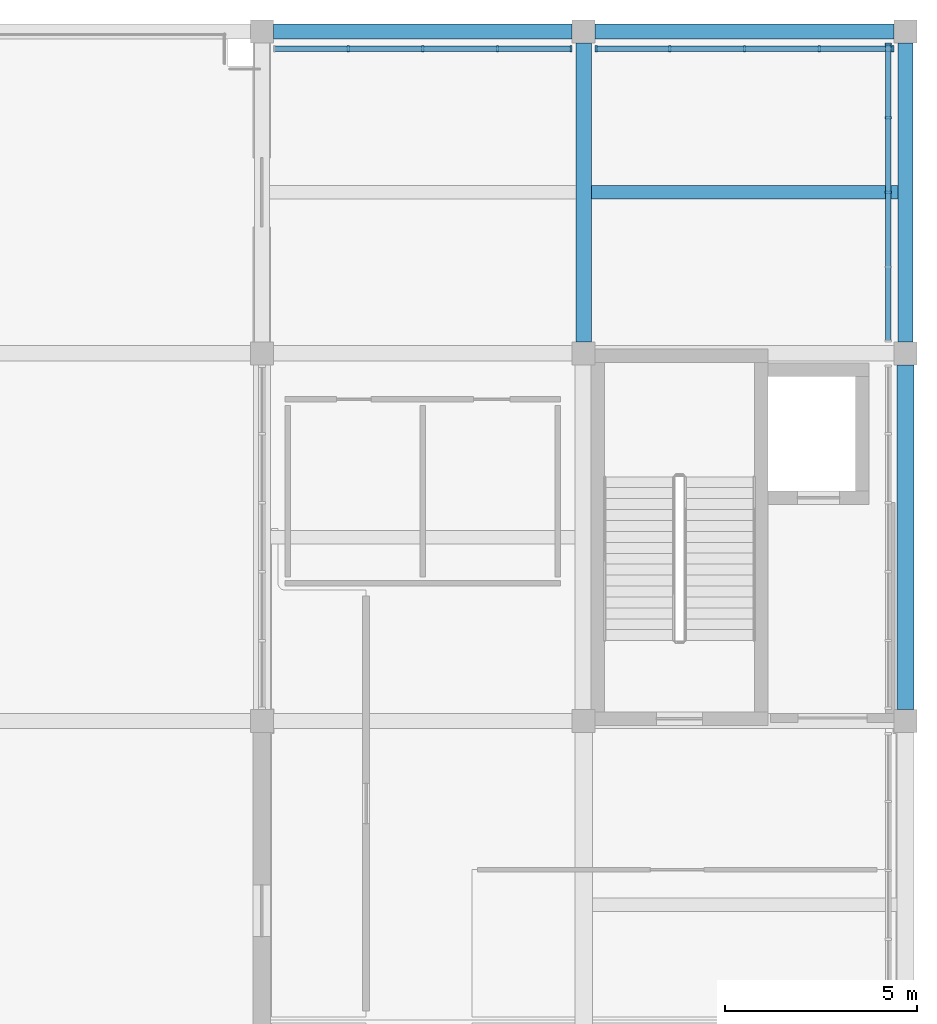
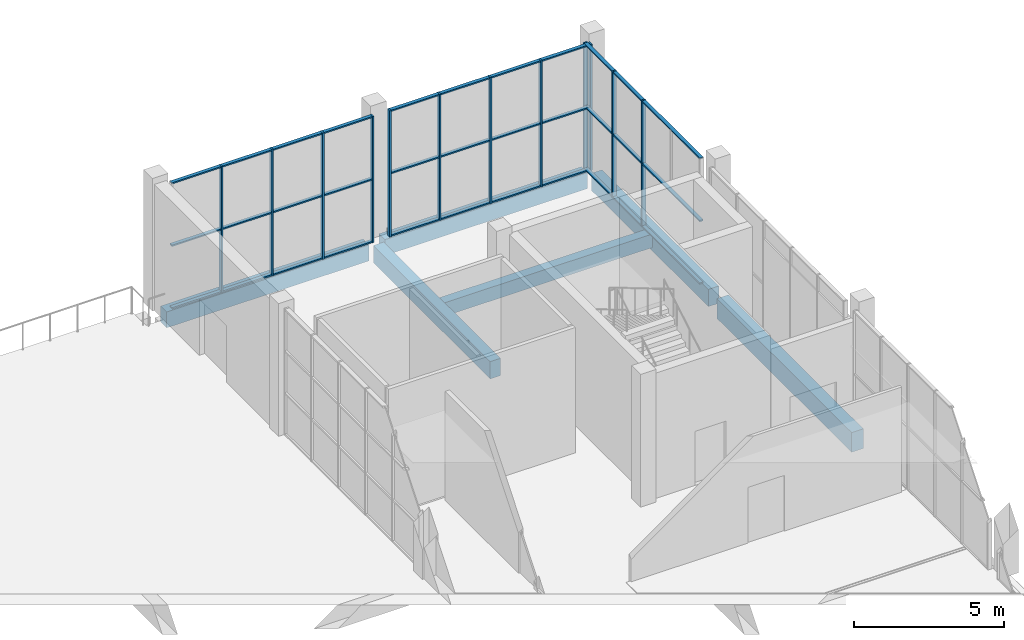
# One storey, part 7 of 15: 21 members, 6 beams, 3 elements without a shape of their own.
"""IFC4 building model written with IfcOpenShell, lengths in metres."""

import ifcopenshell
import ifcopenshell.guid

model = None  # the IFC model being written
_history = None  # IfcOwnerHistory: only IFC2X3 demands one
_inside = {}  # id of a spatial element -> (the spatial element, [elements in it])
_under = {}  # id of a project, library or spatial element -> (it, [spatial elements below it])
_declared = {}  # id of a project -> (the project, [libraries it declares])
_typed = {}  # id of a type object -> (the type object, [elements of that type])
_made_of = {}  # id of a material, layer set ... -> (it, [elements and type objects made of it])


def new_model(schema):
    """Start an empty IFC model of exactly this schema.

    Asked for "IFC4X3", IfcOpenShell would pick the latest addendum, in which some entities
    have other attributes; the version numbers below select the first issue.
    IFC2X3 requires an IfcOwnerHistory on every rooted entity: one is made here for all.
    """
    global model, _history
    if schema == "IFC4X3":
        model = ifcopenshell.file(schema_version=(4, 3, 0, 0))
    else:
        model = ifcopenshell.file(schema=schema)
    _inside.clear()
    _under.clear()
    _declared.clear()
    _typed.clear()
    _made_of.clear()
    _history = None
    if model.schema == "IFC2X3":
        org = make("IfcOrganization", Name="unknown")
        user = make(
            "IfcPersonAndOrganization",
            ThePerson=make("IfcPerson", FamilyName="unknown"),
            TheOrganization=org,
        )
        app = make(
            "IfcApplication",
            ApplicationDeveloper=org,
            Version="unknown",
            ApplicationFullName="unknown",
            ApplicationIdentifier="unknown",
        )
        _history = make(
            "IfcOwnerHistory",
            OwningUser=user,
            OwningApplication=app,
            ChangeAction="ADDED",
            CreationDate=0,
        )
    return model


def make(cls, **values):
    """One entity of the class cls with the attributes given. An attribute that is None is left unset."""
    return model.create_entity(
        cls, **{name: value for name, value in values.items() if value is not None}
    )


def rooted(cls, **values):
    """An entity with a GlobalId (a new one), such as an element, a storey or a relation."""
    return make(cls, GlobalId=ifcopenshell.guid.new(), OwnerHistory=_history, **values)


def si_unit(unit_type, name, prefix=None):
    """IfcSIUnit, for example si_unit("LENGTHUNIT", "METRE", prefix="MILLI")."""
    return make("IfcSIUnit", UnitType=unit_type, Prefix=prefix, Name=name)


def assignment(units):
    """IfcUnitAssignment: the units of a project."""
    return None if units is None else make("IfcUnitAssignment", Units=units)


def point(xyz):
    """IfcCartesianPoint."""
    return None if xyz is None else make("IfcCartesianPoint", Coordinates=xyz)


def direction(xyz):
    """IfcDirection."""
    return None if xyz is None else make("IfcDirection", DirectionRatios=xyz)


def frame(location, z_axis=None, x_axis=None):
    """IfcAxis2Placement3D, a coordinate frame: its origin and axes. An axis left out is left unset."""
    return make(
        "IfcAxis2Placement3D",
        Location=point(location),
        Axis=direction(z_axis),
        RefDirection=direction(x_axis),
    )


def frame_2d(location, x_axis=None):
    """IfcAxis2Placement2D, a coordinate frame in the plane: its origin and x axis."""
    return make(
        "IfcAxis2Placement2D", Location=point(location), RefDirection=direction(x_axis)
    )


def origin():
    """The frame at (0, 0, 0) with its axes left unset."""
    return frame((0.0, 0.0, 0.0))


def origin_2d():
    """The frame at (0, 0) in the plane with its x axis left unset."""
    return frame_2d((0.0, 0.0))


def place(relative_to, where):
    """IfcLocalPlacement: puts the frame where relative to a parent placement (None: the world)."""
    return make(
        "IfcLocalPlacement", PlacementRelTo=relative_to, RelativePlacement=where
    )


def context(
    kind, dimensions, precision=None, world=None, true_north=None, identifier=None
):
    """IfcGeometricRepresentationContext, for example the 3D "Model" context."""
    return make(
        "IfcGeometricRepresentationContext",
        ContextIdentifier=identifier,
        ContextType=kind,
        CoordinateSpaceDimension=dimensions,
        Precision=precision,
        WorldCoordinateSystem=world,
        TrueNorth=true_north,
    )


def subcontext(parent, identifier, kind, view, scale=None):
    """IfcGeometricRepresentationSubContext, for example "Body" below "Model"."""
    return make(
        "IfcGeometricRepresentationSubContext",
        ContextIdentifier=identifier,
        ContextType=kind,
        ParentContext=parent,
        TargetScale=scale,
        TargetView=view,
    )


def project(units=None, contexts=None):
    """IfcProject with its units and contexts."""
    return rooted(
        "IfcProject",
        Name="project",
        RepresentationContexts=contexts,
        UnitsInContext=assignment(units),
    )


def spatial(cls, under=None, at=None, **own):
    """A site, building, storey or space (cls), placed at a placement, below another one or the project."""
    s = rooted(cls, ObjectPlacement=at, **own)
    if under is not None:
        _under.setdefault(under.id(), (under, []))[1].append(s)
    return s


def profile(cls, at=None, kind="AREA", **sizes):
    """A parametric profile (cls). Its sizes go by their IFC names, for example OverallWidth=200.0."""
    return make(cls, ProfileType=kind, Position=at, **sizes)


def rectangle(**sizes):
    """IfcRectangleProfileDef."""
    return profile("IfcRectangleProfileDef", **sizes)


def extrude(swept, where, along, depth):
    """IfcExtrudedAreaSolid: the profile swept, set in the frame where, extruded along a direction by depth."""
    return make(
        "IfcExtrudedAreaSolid",
        SweptArea=swept,
        Position=where,
        ExtrudedDirection=direction(along),
        Depth=depth,
    )


def shape(context_of_items, identifier, shape_type, items):
    """IfcShapeRepresentation: the items that make up one representation, for example the "Body"."""
    return make(
        "IfcShapeRepresentation",
        ContextOfItems=context_of_items,
        RepresentationIdentifier=identifier,
        RepresentationType=shape_type,
        Items=items,
    )


def material(Name=None, Category=None):
    """IfcMaterial."""
    return make("IfcMaterial", Name=Name, Category=Category)


def material_profile(
    of_material, cross_section, Name=None, Category=None, Priority=None
):
    """IfcMaterialProfile: a cross section and its material."""
    return make(
        "IfcMaterialProfile",
        Name=Name,
        Material=of_material,
        Profile=cross_section,
        Priority=Priority,
        Category=Category,
    )


def profile_set(profiles, Name=None, composite=None):
    """IfcMaterialProfileSet."""
    return make(
        "IfcMaterialProfileSet",
        Name=Name,
        MaterialProfiles=profiles,
        CompositeProfile=composite,
    )


def made_of(thing, what):
    """Note that an element or type object is made of a material, layer set ...; save() writes the relation."""
    if what is not None:
        _made_of.setdefault(what.id(), (what, []))[1].append(thing)
    return thing


def type_object(cls, material=None, **own):
    """A type object (cls), such as IfcWallType, which elements share."""
    return made_of(rooted(cls, **own), material)


def element(
    cls,
    number,
    at=None,
    inside=None,
    cuts=None,
    type_object=None,
    material=None,
    context=None,
    identifier="Body",
    shape_type=None,
    held_by="IfcProductDefinitionShape",
    body=None,
    shapes=None,
    **own,
):
    """One element of the class cls, such as IfcWall. Its Tag is "e" and its number.

    at: its placement. inside: the storey or other place that contains it. cuts: it is an
    opening in that element (IfcRelVoidsElement). A single representation is given by context,
    identifier, shape_type and body (its items); several are given by shapes. held_by: the class
    of the entity that holds the representations. save() writes the other relations.
    """
    e = rooted(cls, Tag="e%d" % number, ObjectPlacement=at, **own)
    if body is not None:
        shapes = [shape(context, identifier, shape_type, body)]
    if shapes is not None:
        e.Representation = make(held_by, Representations=shapes)
    if inside is not None:
        _inside.setdefault(inside.id(), (inside, []))[1].append(e)
    if cuts is not None:
        rooted(
            "IfcRelVoidsElement", RelatingBuildingElement=cuts, RelatedOpeningElement=e
        )
    if type_object is not None:
        _typed.setdefault(type_object.id(), (type_object, []))[1].append(e)
    return made_of(e, material)


def aggregate(whole, parts):
    """IfcRelAggregates: a whole, such as a stair, and the parts it consists of."""
    return rooted("IfcRelAggregates", RelatingObject=whole, RelatedObjects=parts)


def save(model, path):
    """Write the relations noted so far, then the file.

    IfcRelAggregates (storeys below a building ...), IfcRelContainedInSpatialStructure (elements
    in a storey), IfcRelDefinesByType, IfcRelAssociatesMaterial and IfcRelDeclares: one each for
    every whole, place, type object, material and project.
    """
    for whole, parts in _under.values():
        aggregate(whole, parts)
    for where, things in _inside.values():
        rooted(
            "IfcRelContainedInSpatialStructure",
            RelatedElements=things,
            RelatingStructure=where,
        )
    for kind, things in _typed.values():
        rooted("IfcRelDefinesByType", RelatedObjects=things, RelatingType=kind)
    for what, things in _made_of.values():
        rooted("IfcRelAssociatesMaterial", RelatedObjects=things, RelatingMaterial=what)
    for by, libraries in _declared.values():
        rooted("IfcRelDeclares", RelatingContext=by, RelatedDefinitions=libraries)
    model.write(path)


model = new_model("IFC4")

# Units and contexts
model_context = context("Model", 3, precision=1e-05, world=origin(), true_north=direction((0.0, 1.0)))
body_context = subcontext(model_context, "Body", "Model", "MODEL_VIEW")
ifc_project = project(units=[si_unit("LENGTHUNIT", "METRE"), si_unit("AREAUNIT", "SQUARE_METRE"), si_unit("VOLUMEUNIT", "CUBIC_METRE"), si_unit("PLANEANGLEUNIT", "RADIAN"), si_unit("MASSUNIT", "GRAM", prefix="KILO")], contexts=[model_context])

# Site, building, storey
site_placement = place(None, origin())
site = spatial("IfcSite", under=ifc_project, at=site_placement, CompositionType="ELEMENT")
building_placement = place(site_placement, origin())
building = spatial("IfcBuilding", under=site, at=building_placement, Name="Shalvenor Court Art Gallery", CompositionType="ELEMENT")
storey_placement = place(building_placement, frame((0.0, 0.0, 27.0)))
storey = spatial("IfcBuildingStorey", under=building, at=storey_placement, Name="L05", CompositionType="ELEMENT", Elevation=27.0)

# Beams
ifc_material_1 = material(Name="Concrete C40/50", Category="concrete")
ifc_material_profile_1 = material_profile(ifc_material_1, rectangle(XDim=0.449951171875, YDim=0.800048828125, at=origin_2d()), Name="RC 450x800")
ifc_profile_set_1 = profile_set([ifc_material_profile_1], Name="Concrete C40/50")
beam_type_1 = type_object("IfcBeamType", Name="B-03", PredefinedType="BEAM", material=ifc_profile_set_1)
beam_1_placement = place(storey_placement, frame((176.39990234375, 79.5, -0.699951171875), z_axis=(0.0, 1.0, 0.0), x_axis=(-1.0, 0.0, 0.0)))
element("IfcBeam", 1, at=beam_1_placement, inside=storey, type_object=beam_type_1, Name="L05 Girder BM-L05-B-03-1298", PredefinedType="BEAM", context=body_context, shape_type="SweptSolid", body=[
    extrude(rectangle(XDim=0.449951171875, YDim=0.800048828125, at=origin_2d()), origin(), (0.0, 0.0, 1.0), 9.0),
])
ifc_material_2 = material(Name="Concrete C40/50", Category="concrete")
ifc_material_profile_2 = material_profile(ifc_material_2, rectangle(XDim=0.39990234375, YDim=0.699951171875, at=origin_2d()), Name="RC 400x700")
ifc_profile_set_2 = profile_set([ifc_material_profile_2], Name="Concrete C40/50")
beam_type_2 = type_object("IfcBeamType", Name="B-05", PredefinedType="BEAM", material=ifc_profile_set_2)
for number, where, z_axis, x_axis, name in (
    (2, (168.0, 89.10009765625, -0.64990234375), (0.0, 1.0, 0.0), (-1.0, 0.0, 0.0), "L05 Girder BM-L05-B-05-1293"),
    (3, (176.39990234375, 89.10009765625, -0.64990234375), (0.0, 1.0, 0.0), (-1.0, 0.0, 0.0), "L05 Girder BM-L05-B-05-1299"),
):
    element("IfcBeam", number, at=place(storey_placement, frame(where, z_axis=z_axis, x_axis=x_axis)), inside=storey, type_object=beam_type_2, Name=name, PredefinedType="BEAM", context=body_context, shape_type="SweptSolid", body=[
        extrude(rectangle(XDim=0.39990234375, YDim=0.699951171875, at=origin_2d()), origin(), (0.0, 0.0, 1.0), 7.7998046875),
    ])
ifc_material_3 = material(Name="Concrete C40/50", Category="concrete")
ifc_material_profile_3 = material_profile(ifc_material_3, rectangle(XDim=0.39990234375, YDim=0.64990234375, at=origin_2d()), Name="RC 400x650")
ifc_profile_set_3 = profile_set([ifc_material_profile_3], Name="Concrete C40/50")
beam_type_3 = type_object("IfcBeamType", Name="B-06", PredefinedType="BEAM", material=ifc_profile_set_3)
for number, where, z_axis, x_axis, name in (
    (4, (159.89990234375, 97.199951171875, -0.625), (1.0, 0.0, 0.0), (0.0, 1.0, 0.0), "L05 Girder BM-L05-B-06-1325"),
    (5, (168.300048828125, 97.199951171875, -0.625), (1.0, 0.0, 0.0), (0.0, 1.0, 0.0), "L05 Girder BM-L05-B-06-1326"),
):
    element("IfcBeam", number, at=place(storey_placement, frame(where, z_axis=z_axis, x_axis=x_axis)), inside=storey, type_object=beam_type_3, Name=name, PredefinedType="BEAM", context=body_context, shape_type="SweptSolid", body=[
        extrude(rectangle(XDim=0.39990234375, YDim=0.64990234375, at=origin_2d()), origin(), (0.0, 0.0, 1.0), 7.800048828125),
    ])

# Curtain wall, members
ifc_material_4 = material(Name="Anodised aluminium and low-iron glass curtain wall", Category="aluminium")
curtain_wall_type = type_object("IfcCurtainWallType", Name="CW-CLR-4-78", PredefinedType="USERDEFINED", material=ifc_material_4)
curtain_wall_1_placement = place(storey_placement, origin())
curtain_wall_1 = element("IfcCurtainWall", 6, at=curtain_wall_1_placement, inside=storey, type_object=curtain_wall_type, Name="L05 Dark Clerestory Curtain Wall CW-L05-040", ObjectType="CURTAIN WALL", PredefinedType="USERDEFINED")
ifc_material_5 = material(Name="Dark anodised bronze aluminium mullion", Category="aluminium")
ifc_material_profile_4 = material_profile(ifc_material_5, rectangle(XDim=0.06005859375, YDim=0.159912109375, at=origin_2d()), Name="CWM-03")
ifc_profile_set_4 = profile_set([ifc_material_profile_4], Name="Dark anodised bronze aluminium mullion")
member_type_1 = type_object("IfcMemberType", Name="CWM-03", PredefinedType="MULLION", material=ifc_profile_set_4)
member_1_placement = place(storey_placement, frame((161.85009765625, 96.75, 0.0), z_axis=(0.0, 0.0, 1.0), x_axis=(1.0, 0.0, 0.0)))
member_1 = element("IfcMember", 7, at=member_1_placement, type_object=member_type_1, Name="CW-CLR-4-78 mullion 2", PredefinedType="MULLION", context=body_context, shape_type="SweptSolid", body=[
    extrude(rectangle(XDim=0.06005859375, YDim=0.159912109375, at=origin_2d()), origin(), (0.0, 0.0, 1.0), 5.139892578125),
])
member_2_placement = place(storey_placement, frame((163.800048828125, 96.75, 0.0), z_axis=(0.0, 0.0, 1.0), x_axis=(1.0, 0.0, 0.0)))
member_2 = element("IfcMember", 8, at=member_2_placement, type_object=member_type_1, Name="CW-CLR-4-78 mullion 3", PredefinedType="MULLION", context=body_context, shape_type="SweptSolid", body=[
    extrude(rectangle(XDim=0.06005859375, YDim=0.159912109375, at=origin_2d()), origin(), (0.0, 0.0, 1.0), 5.139892578125),
])
member_3_placement = place(storey_placement, frame((165.75, 96.75, 0.0), z_axis=(0.0, 0.0, 1.0), x_axis=(1.0, 0.0, 0.0)))
member_3 = element("IfcMember", 9, at=member_3_placement, type_object=member_type_1, Name="CW-CLR-4-78 mullion 4", PredefinedType="MULLION", context=body_context, shape_type="SweptSolid", body=[
    extrude(rectangle(XDim=0.06005859375, YDim=0.159912109375, at=origin_2d()), origin(), (0.0, 0.0, 1.0), 5.139892578125),
])
member_4_placement = place(storey_placement, frame((167.669921875, 96.75, 0.0), z_axis=(0.0, 0.0, 1.0), x_axis=(1.0, 0.0, 0.0)))
member_4 = element("IfcMember", 10, at=member_4_placement, type_object=member_type_1, Name="CW-CLR-4-78 mullion 5", PredefinedType="MULLION", context=body_context, shape_type="SweptSolid", body=[
    extrude(rectangle(XDim=0.06005859375, YDim=0.159912109375, at=origin_2d()), origin(), (0.0, 0.0, 1.0), 5.139892578125),
])

curtain_wall_2_placement = place(storey_placement, origin())
curtain_wall_2 = element("IfcCurtainWall", 11, at=curtain_wall_2_placement, inside=storey, type_object=curtain_wall_type, Name="L05 Dark Clerestory Curtain Wall CW-L05-041", ObjectType="CURTAIN WALL", PredefinedType="USERDEFINED")
member_5_placement = place(storey_placement, frame((168.330078125, 96.75, 0.0), z_axis=(0.0, 0.0, 1.0), x_axis=(1.0, 0.0, 0.0)))
member_5 = element("IfcMember", 12, at=member_5_placement, type_object=member_type_1, Name="CW-CLR-4-78 mullion 1", PredefinedType="MULLION", context=body_context, shape_type="SweptSolid", body=[
    extrude(rectangle(XDim=0.06005859375, YDim=0.159912109375, at=origin_2d()), origin(), (0.0, 0.0, 1.0), 5.139892578125),
])
member_6_placement = place(storey_placement, frame((170.25, 96.75, 0.0), z_axis=(0.0, 0.0, 1.0), x_axis=(1.0, 0.0, 0.0)))
member_6 = element("IfcMember", 13, at=member_6_placement, type_object=member_type_1, Name="CW-CLR-4-78 mullion 2", PredefinedType="MULLION", context=body_context, shape_type="SweptSolid", body=[
    extrude(rectangle(XDim=0.06005859375, YDim=0.159912109375, at=origin_2d()), origin(), (0.0, 0.0, 1.0), 5.139892578125),
])
member_7_placement = place(storey_placement, frame((172.199951171875, 96.75, 0.0), z_axis=(0.0, 0.0, 1.0), x_axis=(1.0, 0.0, 0.0)))
member_7 = element("IfcMember", 14, at=member_7_placement, type_object=member_type_1, Name="CW-CLR-4-78 mullion 3", PredefinedType="MULLION", context=body_context, shape_type="SweptSolid", body=[
    extrude(rectangle(XDim=0.06005859375, YDim=0.159912109375, at=origin_2d()), origin(), (0.0, 0.0, 1.0), 5.139892578125),
])
member_8_placement = place(storey_placement, frame((174.14990234375, 96.75, 0.0), z_axis=(0.0, 0.0, 1.0), x_axis=(1.0, 0.0, 0.0)))
member_8 = element("IfcMember", 15, at=member_8_placement, type_object=member_type_1, Name="CW-CLR-4-78 mullion 4", PredefinedType="MULLION", context=body_context, shape_type="SweptSolid", body=[
    extrude(rectangle(XDim=0.06005859375, YDim=0.159912109375, at=origin_2d()), origin(), (0.0, 0.0, 1.0), 5.139892578125),
])
member_9_placement = place(storey_placement, frame((176.070068359375, 96.75, 0.0), z_axis=(0.0, 0.0, 1.0), x_axis=(1.0, 0.0, 0.0)))
member_9 = element("IfcMember", 16, at=member_9_placement, type_object=member_type_1, Name="CW-CLR-4-78 mullion 5", PredefinedType="MULLION", context=body_context, shape_type="SweptSolid", body=[
    extrude(rectangle(XDim=0.06005859375, YDim=0.159912109375, at=origin_2d()), origin(), (0.0, 0.0, 1.0), 5.139892578125),
])

curtain_wall_3_placement = place(storey_placement, origin())
curtain_wall_3 = element("IfcCurtainWall", 17, at=curtain_wall_3_placement, inside=storey, type_object=curtain_wall_type, Name="L05 Dark Clerestory Curtain Wall CW-L05-042", ObjectType="CURTAIN WALL", PredefinedType="USERDEFINED")
member_10_placement = place(storey_placement, frame((175.949951171875, 96.8701171875, 0.0), z_axis=(0.0, 0.0, 1.0), x_axis=(0.0, -1.0, 0.0)))
member_10 = element("IfcMember", 18, at=member_10_placement, type_object=member_type_1, Name="CW-CLR-4-78 mullion 1", PredefinedType="MULLION", context=body_context, shape_type="SweptSolid", body=[
    extrude(rectangle(XDim=0.06005859375, YDim=0.159912109375, at=origin_2d()), origin(), (0.0, 0.0, 1.0), 5.139892578125),
])
member_11_placement = place(storey_placement, frame((175.949951171875, 94.949951171875, 0.0), z_axis=(0.0, 0.0, 1.0), x_axis=(0.0, -1.0, 0.0)))
member_11 = element("IfcMember", 19, at=member_11_placement, type_object=member_type_1, Name="CW-CLR-4-78 mullion 2", PredefinedType="MULLION", context=body_context, shape_type="SweptSolid", body=[
    extrude(rectangle(XDim=0.06005859375, YDim=0.159912109375, at=origin_2d()), origin(), (0.0, 0.0, 1.0), 5.139892578125),
])
member_12_placement = place(storey_placement, frame((175.949951171875, 93.0, 0.0), z_axis=(0.0, 0.0, 1.0), x_axis=(0.0, -1.0, 0.0)))
member_12 = element("IfcMember", 20, at=member_12_placement, type_object=member_type_1, Name="CW-CLR-4-78 mullion 3", PredefinedType="MULLION", context=body_context, shape_type="SweptSolid", body=[
    extrude(rectangle(XDim=0.06005859375, YDim=0.159912109375, at=origin_2d()), origin(), (0.0, 0.0, 1.0), 5.139892578125),
])

# Member
ifc_material_6 = material(Name="Dark anodised bronze aluminium transom", Category="aluminium")
ifc_material_profile_5 = material_profile(ifc_material_6, rectangle(XDim=0.135009765625, YDim=0.054931640625, at=origin_2d()), Name="CWT-03")
ifc_profile_set_5 = profile_set([ifc_material_profile_5], Name="Dark anodised bronze aluminium transom")
member_type_2 = type_object("IfcMemberType", Name="CWT-03", PredefinedType="USERDEFINED", material=ifc_profile_set_5)
member_13_placement = place(storey_placement, frame((159.929931640625, 96.75, 0.027587890625), z_axis=(1.0, 0.0, 0.0), x_axis=(0.0, 1.0, 0.0)))
member_13 = element("IfcMember", 21, at=member_13_placement, type_object=member_type_2, Name="CW-CLR-4-78 transom 1", ObjectType="TRANSOM", PredefinedType="USERDEFINED", context=body_context, shape_type="SweptSolid", body=[
    extrude(rectangle(XDim=0.135009765625, YDim=0.054931640625, at=origin_2d()), origin(), (0.0, 0.0, 1.0), 7.739990234375),
])

member_14_placement = place(storey_placement, frame((159.929931640625, 96.75, 2.570068359375), z_axis=(1.0, 0.0, 0.0), x_axis=(0.0, 1.0, 0.0)))
member_14 = element("IfcMember", 22, at=member_14_placement, type_object=member_type_2, Name="CW-CLR-4-78 transom 2", ObjectType="TRANSOM", PredefinedType="USERDEFINED", context=body_context, shape_type="SweptSolid", body=[
    extrude(rectangle(XDim=0.135009765625, YDim=0.054931640625, at=origin_2d()), origin(), (0.0, 0.0, 1.0), 7.739990234375),
])

member_15_placement = place(storey_placement, frame((159.929931640625, 96.75, 5.112548828125), z_axis=(1.0, 0.0, 0.0), x_axis=(0.0, 1.0, 0.0)))
member_15 = element("IfcMember", 23, at=member_15_placement, type_object=member_type_2, Name="CW-CLR-4-78 transom 3", ObjectType="TRANSOM", PredefinedType="USERDEFINED", context=body_context, shape_type="SweptSolid", body=[
    extrude(rectangle(XDim=0.135009765625, YDim=0.054931640625, at=origin_2d()), origin(), (0.0, 0.0, 1.0), 7.739990234375),
])

aggregate(curtain_wall_1, [member_1, member_2, member_3, member_4, member_13, member_14, member_15])

member_16_placement = place(storey_placement, frame((168.330078125, 96.75, 0.027587890625), z_axis=(1.0, 0.0, 0.0), x_axis=(0.0, 1.0, 0.0)))
member_16 = element("IfcMember", 24, at=member_16_placement, type_object=member_type_2, Name="CW-CLR-4-78 transom 1", ObjectType="TRANSOM", PredefinedType="USERDEFINED", context=body_context, shape_type="SweptSolid", body=[
    extrude(rectangle(XDim=0.135009765625, YDim=0.054931640625, at=origin_2d()), origin(), (0.0, 0.0, 1.0), 7.739990234375),
])

member_17_placement = place(storey_placement, frame((168.330078125, 96.75, 2.570068359375), z_axis=(1.0, 0.0, 0.0), x_axis=(0.0, 1.0, 0.0)))
member_17 = element("IfcMember", 25, at=member_17_placement, type_object=member_type_2, Name="CW-CLR-4-78 transom 2", ObjectType="TRANSOM", PredefinedType="USERDEFINED", context=body_context, shape_type="SweptSolid", body=[
    extrude(rectangle(XDim=0.135009765625, YDim=0.054931640625, at=origin_2d()), origin(), (0.0, 0.0, 1.0), 7.739990234375),
])

member_18_placement = place(storey_placement, frame((168.330078125, 96.75, 5.112548828125), z_axis=(1.0, 0.0, 0.0), x_axis=(0.0, 1.0, 0.0)))
member_18 = element("IfcMember", 26, at=member_18_placement, type_object=member_type_2, Name="CW-CLR-4-78 transom 3", ObjectType="TRANSOM", PredefinedType="USERDEFINED", context=body_context, shape_type="SweptSolid", body=[
    extrude(rectangle(XDim=0.135009765625, YDim=0.054931640625, at=origin_2d()), origin(), (0.0, 0.0, 1.0), 7.739990234375),
])

aggregate(curtain_wall_2, [member_5, member_6, member_7, member_8, member_9, member_16, member_17, member_18])

member_19_placement = place(storey_placement, frame((175.949951171875, 96.8701171875, 0.027587890625), z_axis=(0.0, -1.0, 0.0), x_axis=(1.0, 0.0, 0.0)))
member_19 = element("IfcMember", 27, at=member_19_placement, type_object=member_type_2, Name="CW-CLR-4-78 transom 1", ObjectType="TRANSOM", PredefinedType="USERDEFINED", context=body_context, shape_type="SweptSolid", body=[
    extrude(rectangle(XDim=0.135009765625, YDim=0.054931640625, at=origin_2d()), origin(), (0.0, 0.0, 1.0), 7.740234375),
])

member_20_placement = place(storey_placement, frame((175.949951171875, 96.8701171875, 2.570068359375), z_axis=(0.0, -1.0, 0.0), x_axis=(1.0, 0.0, 0.0)))
member_20 = element("IfcMember", 28, at=member_20_placement, type_object=member_type_2, Name="CW-CLR-4-78 transom 2", ObjectType="TRANSOM", PredefinedType="USERDEFINED", context=body_context, shape_type="SweptSolid", body=[
    extrude(rectangle(XDim=0.135009765625, YDim=0.054931640625, at=origin_2d()), origin(), (0.0, 0.0, 1.0), 7.740234375),
])

member_21_placement = place(storey_placement, frame((175.949951171875, 96.8701171875, 5.112548828125), z_axis=(0.0, -1.0, 0.0), x_axis=(1.0, 0.0, 0.0)))
member_21 = element("IfcMember", 29, at=member_21_placement, type_object=member_type_2, Name="CW-CLR-4-78 transom 3", ObjectType="TRANSOM", PredefinedType="USERDEFINED", context=body_context, shape_type="SweptSolid", body=[
    extrude(rectangle(XDim=0.135009765625, YDim=0.054931640625, at=origin_2d()), origin(), (0.0, 0.0, 1.0), 7.740234375),
])

aggregate(curtain_wall_3, [member_10, member_11, member_12, member_19, member_20, member_21])

# Beam
ifc_material_7 = material(Name="Concrete C40/50", Category="concrete")
ifc_material_profile_6 = material_profile(ifc_material_7, rectangle(XDim=0.35009765625, YDim=0.550048828125, at=origin_2d()), Name="RC 350x550")
ifc_profile_set_6 = profile_set([ifc_material_profile_6], Name="Concrete C40/50")
beam_type_4 = type_object("IfcBeamType", Name="J-02", PredefinedType="JOIST", material=ifc_profile_set_6)
beam_2_placement = place(storey_placement, frame((168.199951171875, 93.0, -0.574951171875), z_axis=(1.0, 0.0, 0.0), x_axis=(0.0, 1.0, 0.0)))
element("IfcBeam", 30, at=beam_2_placement, inside=storey, type_object=beam_type_4, Name="L05 Secondary Beam JST-L05-J-02-1333", PredefinedType="JOIST", context=body_context, shape_type="SweptSolid", body=[
    extrude(rectangle(XDim=0.35009765625, YDim=0.550048828125, at=origin_2d()), origin(), (0.0, 0.0, 1.0), 8.0),
])

save(model, "model.ifc")
